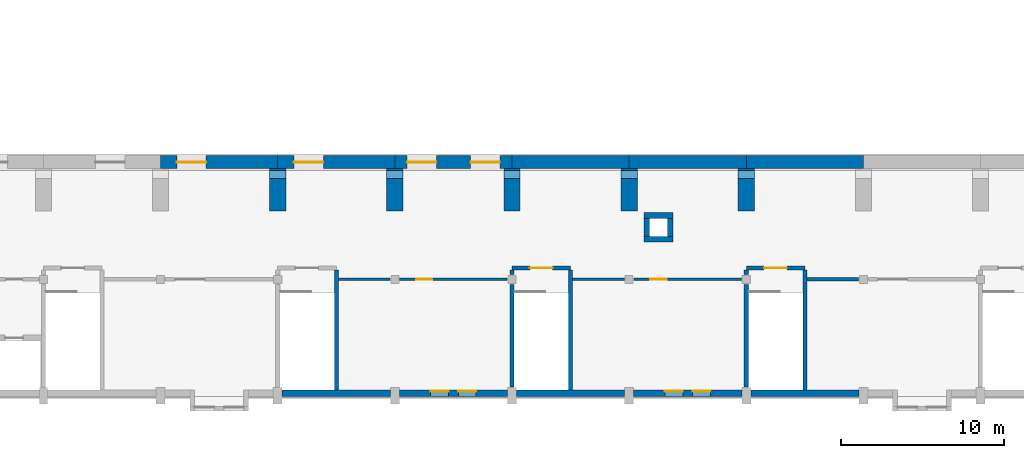
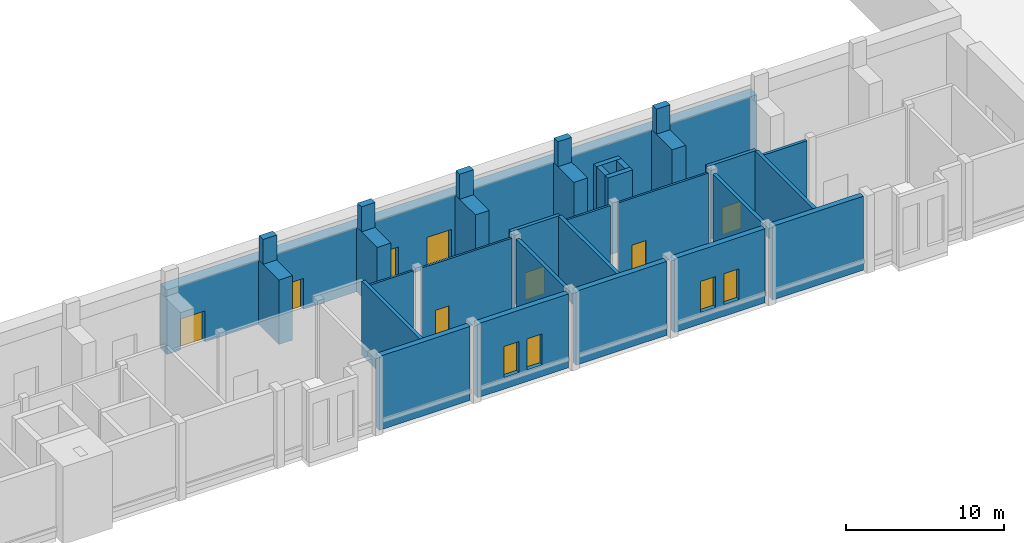
# One storey, part 30 of 44: 39 walls, 8 doors, 4 windows, 12 openings.
"""IFC4 building model written with IfcOpenShell, lengths in metres."""

from ifc_helpers import new_model, si_unit, direction, frame, frame_2d, origin, place, context, subcontext, project, spatial, rectangle, extrude, material, layer, layer_set, type_object, element, fill, save


model = new_model("IFC4")

# Units and contexts
model_context = context("Model", 3, precision=1e-05, world=origin(), true_north=direction((0.0, 1.0)))
body_context = subcontext(model_context, "Body", "Model", "MODEL_VIEW")
ifc_project = project(units=[si_unit("LENGTHUNIT", "METRE"), si_unit("AREAUNIT", "SQUARE_METRE"), si_unit("VOLUMEUNIT", "CUBIC_METRE"), si_unit("PLANEANGLEUNIT", "RADIAN"), si_unit("MASSUNIT", "GRAM", prefix="KILO")], contexts=[model_context])

# Site, building, storey
site_placement = place(None, origin())
site = spatial("IfcSite", under=ifc_project, at=site_placement, CompositionType="ELEMENT")
building_placement = place(site_placement, origin())
building = spatial("IfcBuilding", under=site, at=building_placement, Name="Vermilion Court Aquatics Centre", CompositionType="ELEMENT")
storey_placement = place(building_placement, frame((0.0, 0.0, 6.0)))
storey = spatial("IfcBuildingStorey", under=building, at=storey_placement, Name="L01", CompositionType="ELEMENT", Elevation=6.0)

# Walls
ifc_material_1 = material(Name="Concrete 5000 psi", Category="concrete")
ifc_layer_1 = layer(ifc_material_1, 1.0)
ifc_layer_set_1 = layer_set([ifc_layer_1], Name="Roof buttress pier")
wall_type_1 = type_object("IfcWallType", Name="Roof buttress pier", PredefinedType="SOLIDWALL", material=ifc_layer_set_1)
for number, where, z_axis, x_axis, name in (
    (1, (93.60009765625, 11.39990234375, 0.0), (0.0, 0.0, 1.0), (0.0, 1.0, 0.0), "Buttress pier BPS12"),
    (2, (100.800048828125, 11.39990234375, 0.0), (0.0, 0.0, 1.0), (0.0, 1.0, 0.0), "Buttress pier BPS13"),
    (3, (108.0, 11.39990234375, 0.0), (0.0, 0.0, 1.0), (0.0, 1.0, 0.0), "Buttress pier BPS14"),
    (4, (115.199951171875, 11.39990234375, 0.0), (0.0, 0.0, 1.0), (0.0, 1.0, 0.0), "Buttress pier BPS15"),
    (5, (122.39990234375, 11.39990234375, 0.0), (0.0, 0.0, 1.0), (0.0, 1.0, 0.0), "Buttress pier BPS16"),
):
    element("IfcWall", number, at=place(storey_placement, frame(where, z_axis=z_axis, x_axis=x_axis)), inside=storey, type_object=wall_type_1, Name=name, PredefinedType="SOLIDWALL", context=body_context, shape_type="SweptSolid", body=[
        extrude(rectangle(XDim=2.60009765625, YDim=1.0, at=frame_2d((1.300048828125, 0.0))), origin(), (0.0, 0.0, 1.0), 5.0),
    ])
ifc_material_2 = material(Name="Brick masonry", Category="masonry")
ifc_layer_2 = layer(ifc_material_2, 0.39990234375)
ifc_layer_set_2 = layer_set([ifc_layer_2], Name="South brick facade wall 400")
wall_type_2 = type_object("IfcWallType", Name="South brick facade wall 400", PredefinedType="SOLIDWALL", material=ifc_layer_set_2)
wall_1_placement = place(storey_placement, frame((93.875, 0.199951171875, 0.0), z_axis=(0.0, 0.0, 1.0), x_axis=(1.0, 0.0, 0.0)))
element("IfcWall", 6, at=wall_1_placement, inside=storey, type_object=wall_type_2, Name="Brick facade wall", PredefinedType="SOLIDWALL", context=body_context, shape_type="SweptSolid", body=[
    extrude(rectangle(XDim=6.64990234375, YDim=0.39990234375, at=frame_2d((3.324951171875, 0.0))), origin(), (0.0, 0.0, 1.0), 5.72509765625),
])

# Wall, openings, windows
wall_2_placement = place(storey_placement, frame((101.074951171875, 0.199951171875, 0.0), z_axis=(0.0, 0.0, 1.0), x_axis=(1.0, 0.0, 0.0)))
wall_2 = element("IfcWall", 7, at=wall_2_placement, inside=storey, type_object=wall_type_2, Name="Brick facade wall", PredefinedType="SOLIDWALL", context=body_context, shape_type="SweptSolid", body=[
    extrude(rectangle(XDim=6.650146484375, YDim=0.39990234375, at=frame_2d((3.3251953125, 0.0))), origin(), (0.0, 0.0, 1.0), 5.72509765625),
])
opening_1_placement = place(wall_2_placement, frame((1.925048828125, 0.0, 0.89990234375)))
opening_1 = element("IfcOpeningElement", 8, at=opening_1_placement, cuts=wall_2, Name="Opening SWN4", PredefinedType="OPENING", context=body_context, shape_type="SweptSolid", body=[
    extrude(rectangle(XDim=1.10009765625, YDim=2.39990234375, at=frame_2d((0.550048828125, 1.199951171875))), frame((0.0, 0.2099609375, 0.0), z_axis=(0.0, -1.0, 0.0), x_axis=(1.0, 0.0, 0.0)), (0.0, 0.0, 1.0), 0.419921875),
])
opening_2_placement = place(wall_2_placement, frame((3.625, 0.0, 0.89990234375)))
opening_2 = element("IfcOpeningElement", 9, at=opening_2_placement, cuts=wall_2, Name="Opening SWN4", PredefinedType="OPENING", context=body_context, shape_type="SweptSolid", body=[
    extrude(rectangle(XDim=1.10009765625, YDim=2.39990234375, at=frame_2d((0.550048828125, 1.199951171875))), frame((0.0, 0.2099609375, 0.0), z_axis=(0.0, -1.0, 0.0), x_axis=(1.0, 0.0, 0.0)), (0.0, 0.0, 1.0), 0.419921875),
])
ifc_material_3 = material(Name="Aluminium 6063-T5", Category="aluminium")
window_type = type_object("IfcWindowType", Name="South window 1100x2400 obscured glass", PartitioningType="DOUBLE_PANEL_VERTICAL", PredefinedType="WINDOW", material=ifc_material_3)
window_1_placement = place(opening_1_placement, origin())
window_1 = element("IfcWindow", 10, at=window_1_placement, inside=storey, type_object=window_type, Name="Facade window", OverallHeight=2.39990234375, OverallWidth=1.10009765625, PartitioningType="DOUBLE_PANEL_VERTICAL", PredefinedType="WINDOW", context=body_context, shape_type="SweptSolid", body=[
    extrude(rectangle(XDim=1.10009765625, YDim=2.39990234375, at=frame_2d((0.550048828125, 1.199951171875))), frame((0.0, 0.159912109375, 0.0), z_axis=(0.0, -1.0, 0.0), x_axis=(1.0, 0.0, 0.0)), (0.0, 0.0, 1.0), 0.06005859375),
])
fill(opening_1, window_1)
window_2_placement = place(opening_2_placement, origin())
window_2 = element("IfcWindow", 11, at=window_2_placement, inside=storey, type_object=window_type, Name="Facade window", OverallHeight=2.39990234375, OverallWidth=1.10009765625, PartitioningType="DOUBLE_PANEL_VERTICAL", PredefinedType="WINDOW", context=body_context, shape_type="SweptSolid", body=[
    extrude(rectangle(XDim=1.10009765625, YDim=2.39990234375, at=frame_2d((0.550048828125, 1.199951171875))), frame((0.0, 0.159912109375, 0.0), z_axis=(0.0, -1.0, 0.0), x_axis=(1.0, 0.0, 0.0)), (0.0, 0.0, 1.0), 0.06005859375),
])
fill(opening_2, window_2)

# Wall
wall_3_placement = place(storey_placement, frame((108.27490234375, 0.199951171875, 0.0), z_axis=(0.0, 0.0, 1.0), x_axis=(1.0, 0.0, 0.0)))
element("IfcWall", 12, at=wall_3_placement, inside=storey, type_object=wall_type_2, Name="Brick facade wall", PredefinedType="SOLIDWALL", context=body_context, shape_type="SweptSolid", body=[
    extrude(rectangle(XDim=6.650146484375, YDim=0.39990234375, at=frame_2d((3.3251953125, 0.0))), origin(), (0.0, 0.0, 1.0), 5.72509765625),
])

# Wall, openings, windows
wall_4_placement = place(storey_placement, frame((115.47509765625, 0.199951171875, 0.0), z_axis=(0.0, 0.0, 1.0), x_axis=(1.0, 0.0, 0.0)))
wall_4 = element("IfcWall", 13, at=wall_4_placement, inside=storey, type_object=wall_type_2, Name="Brick facade wall", PredefinedType="SOLIDWALL", context=body_context, shape_type="SweptSolid", body=[
    extrude(rectangle(XDim=6.64990234375, YDim=0.39990234375, at=frame_2d((3.324951171875, 0.0))), origin(), (0.0, 0.0, 1.0), 5.72509765625),
])
opening_3_placement = place(wall_4_placement, frame((1.925048828125, 0.0, 0.89990234375)))
opening_3 = element("IfcOpeningElement", 14, at=opening_3_placement, cuts=wall_4, Name="Opening SWN4", PredefinedType="OPENING", context=body_context, shape_type="SweptSolid", body=[
    extrude(rectangle(XDim=1.10009765625, YDim=2.39990234375, at=frame_2d((0.550048828125, 1.199951171875))), frame((0.0, 0.2099609375, 0.0), z_axis=(0.0, -1.0, 0.0), x_axis=(1.0, 0.0, 0.0)), (0.0, 0.0, 1.0), 0.419921875),
])
opening_4_placement = place(wall_4_placement, frame((3.625, 0.0, 0.89990234375)))
opening_4 = element("IfcOpeningElement", 15, at=opening_4_placement, cuts=wall_4, Name="Opening SWN4", PredefinedType="OPENING", context=body_context, shape_type="SweptSolid", body=[
    extrude(rectangle(XDim=1.10009765625, YDim=2.39990234375, at=frame_2d((0.550048828125, 1.199951171875))), frame((0.0, 0.2099609375, 0.0), z_axis=(0.0, -1.0, 0.0), x_axis=(1.0, 0.0, 0.0)), (0.0, 0.0, 1.0), 0.419921875),
])
window_3_placement = place(opening_3_placement, origin())
window_3 = element("IfcWindow", 16, at=window_3_placement, inside=storey, type_object=window_type, Name="Facade window", OverallHeight=2.39990234375, OverallWidth=1.10009765625, PartitioningType="DOUBLE_PANEL_VERTICAL", PredefinedType="WINDOW", context=body_context, shape_type="SweptSolid", body=[
    extrude(rectangle(XDim=1.10009765625, YDim=2.39990234375, at=frame_2d((0.550048828125, 1.199951171875))), frame((0.0, 0.159912109375, 0.0), z_axis=(0.0, -1.0, 0.0), x_axis=(1.0, 0.0, 0.0)), (0.0, 0.0, 1.0), 0.06005859375),
])
fill(opening_3, window_3)
window_4_placement = place(opening_4_placement, origin())
window_4 = element("IfcWindow", 17, at=window_4_placement, inside=storey, type_object=window_type, Name="Facade window", OverallHeight=2.39990234375, OverallWidth=1.10009765625, PartitioningType="DOUBLE_PANEL_VERTICAL", PredefinedType="WINDOW", context=body_context, shape_type="SweptSolid", body=[
    extrude(rectangle(XDim=1.10009765625, YDim=2.39990234375, at=frame_2d((0.550048828125, 1.199951171875))), frame((0.0, 0.159912109375, 0.0), z_axis=(0.0, -1.0, 0.0), x_axis=(1.0, 0.0, 0.0)), (0.0, 0.0, 1.0), 0.06005859375),
])
fill(opening_4, window_4)

# Walls
wall_5_placement = place(storey_placement, frame((122.675048828125, 0.199951171875, 0.0), z_axis=(0.0, 0.0, 1.0), x_axis=(1.0, 0.0, 0.0)))
element("IfcWall", 18, at=wall_5_placement, inside=storey, type_object=wall_type_2, Name="Brick facade wall", PredefinedType="SOLIDWALL", context=body_context, shape_type="SweptSolid", body=[
    extrude(rectangle(XDim=6.64990234375, YDim=0.39990234375, at=frame_2d((3.324951171875, 0.0))), origin(), (0.0, 0.0, 1.0), 5.72509765625),
])
ifc_material_4 = material(Name="Concrete masonry ASTM C90 Type I", Category="masonry")
ifc_layer_3 = layer(ifc_material_4, 0.199951171875)
ifc_layer_set_3 = layer_set([ifc_layer_3], Name="South partition wall 200")
wall_type_3 = type_object("IfcWallType", Name="South partition wall 200", PredefinedType="PARTITIONING", material=ifc_layer_set_3)
wall_6_placement = place(storey_placement, frame((126.125, 7.199951171875, 0.0), z_axis=(0.0, 0.0, 1.0), x_axis=(1.0, 0.0, 0.0)))
element("IfcWall", 19, at=wall_6_placement, inside=storey, type_object=wall_type_3, Name="Partition wall", PredefinedType="PARTITIONING", context=body_context, shape_type="SweptSolid", body=[
    extrude(rectangle(XDim=3.175048828125, YDim=0.199951171875, at=frame_2d((1.58740234375, 0.0))), origin(), (0.0, 0.0, 1.0), 5.72509765625),
])
ifc_material_5 = material(Name="Concrete 5000 psi", Category="concrete")
ifc_layer_4 = layer(ifc_material_5, 0.5)
ifc_layer_set_4 = layer_set([ifc_layer_4], Name="South roof valley post 500")
wall_type_4 = type_object("IfcWallType", Name="South roof valley post 500", PredefinedType="SOLIDWALL", material=ifc_layer_set_4)
for number, where, z_axis, x_axis, name in (
    (20, (93.10009765625, 13.64990234375, 5.0), (0.0, 0.0, 1.0), (1.0, 0.0, 0.0), "South roof valley post"),
    (21, (100.300048828125, 13.64990234375, 5.0), (0.0, 0.0, 1.0), (1.0, 0.0, 0.0), "South roof valley post"),
    (22, (107.5, 13.64990234375, 5.0), (0.0, 0.0, 1.0), (1.0, 0.0, 0.0), "South roof valley post"),
    (23, (114.699951171875, 13.64990234375, 5.0), (0.0, 0.0, 1.0), (1.0, 0.0, 0.0), "South roof valley post"),
    (24, (121.89990234375, 13.64990234375, 5.0), (0.0, 0.0, 1.0), (1.0, 0.0, 0.0), "South roof valley post"),
):
    element("IfcWall", number, at=place(storey_placement, frame(where, z_axis=z_axis, x_axis=x_axis)), inside=storey, type_object=wall_type_4, Name=name, PredefinedType="SOLIDWALL", context=body_context, shape_type="SweptSolid", body=[
        extrude(rectangle(XDim=1.0, YDim=0.5, at=frame_2d((0.5, 0.0))), origin(), (0.0, 0.0, 1.0), 1.932373046875),
    ])
ifc_material_6 = material(Name="Concrete 5000 psi", Category="concrete")
ifc_layer_5 = layer(ifc_material_6, 0.25)
ifc_layer_set_5 = layer_set([ifc_layer_5], Name="South upper stair wall 250")
wall_type_5 = type_object("IfcWallType", Name="South upper stair wall 250", PredefinedType="SOLIDWALL", material=ifc_layer_set_5)
wall_7_placement = place(storey_placement, frame((97.199951171875, 0.39990234375, 0.0), z_axis=(0.0, 0.0, 1.0), x_axis=(0.0, 1.0, 0.0)))
element("IfcWall", 25, at=wall_7_placement, inside=storey, type_object=wall_type_5, Name="Stair enclosure wall", PredefinedType="SOLIDWALL", context=body_context, shape_type="SweptSolid", body=[
    extrude(rectangle(XDim=7.375, YDim=0.25, at=frame_2d((3.6875, 0.0))), origin(), (0.0, 0.0, 1.0), 5.72509765625),
])
wall_8_placement = place(storey_placement, frame((108.0, 0.60009765625, 0.0), z_axis=(0.0, 0.0, 1.0), x_axis=(0.0, 1.0, 0.0)))
element("IfcWall", 26, at=wall_8_placement, inside=storey, type_object=wall_type_5, Name="Stair enclosure wall", PredefinedType="SOLIDWALL", context=body_context, shape_type="SweptSolid", body=[
    extrude(rectangle(XDim=6.2998046875, YDim=0.25, at=frame_2d((3.14990234375, 0.0))), origin(), (0.0, 0.0, 1.0), 5.72509765625),
])
wall_9_placement = place(storey_placement, frame((108.0, 7.5, 0.0), z_axis=(0.0, 0.0, 1.0), x_axis=(0.0, 1.0, 0.0)))
element("IfcWall", 27, at=wall_9_placement, inside=storey, type_object=wall_type_5, Name="Stair enclosure wall", PredefinedType="SOLIDWALL", context=body_context, shape_type="SweptSolid", body=[
    extrude(rectangle(XDim=0.27490234375, YDim=0.25, at=frame_2d((0.137451171875, 0.0))), origin(), (0.0, 0.0, 1.0), 5.72509765625),
])
wall_10_placement = place(storey_placement, frame((111.60009765625, 0.39990234375, 0.0), z_axis=(0.0, 0.0, 1.0), x_axis=(0.0, 1.0, 0.0)))
element("IfcWall", 28, at=wall_10_placement, inside=storey, type_object=wall_type_5, Name="Stair enclosure wall", PredefinedType="SOLIDWALL", context=body_context, shape_type="SweptSolid", body=[
    extrude(rectangle(XDim=7.375, YDim=0.25, at=frame_2d((3.6875, 0.0))), origin(), (0.0, 0.0, 1.0), 5.72509765625),
])
wall_11_placement = place(storey_placement, frame((122.39990234375, 0.60009765625, 0.0), z_axis=(0.0, 0.0, 1.0), x_axis=(0.0, 1.0, 0.0)))
element("IfcWall", 29, at=wall_11_placement, inside=storey, type_object=wall_type_5, Name="Stair enclosure wall", PredefinedType="SOLIDWALL", context=body_context, shape_type="SweptSolid", body=[
    extrude(rectangle(XDim=6.2998046875, YDim=0.25, at=frame_2d((3.14990234375, 0.0))), origin(), (0.0, 0.0, 1.0), 5.72509765625),
])
wall_12_placement = place(storey_placement, frame((122.39990234375, 7.5, 0.0), z_axis=(0.0, 0.0, 1.0), x_axis=(0.0, 1.0, 0.0)))
element("IfcWall", 30, at=wall_12_placement, inside=storey, type_object=wall_type_5, Name="Stair enclosure wall", PredefinedType="SOLIDWALL", context=body_context, shape_type="SweptSolid", body=[
    extrude(rectangle(XDim=0.27490234375, YDim=0.25, at=frame_2d((0.137451171875, 0.0))), origin(), (0.0, 0.0, 1.0), 5.72509765625),
])
wall_13_placement = place(storey_placement, frame((126.0, 0.39990234375, 0.0), z_axis=(0.0, 0.0, 1.0), x_axis=(0.0, 1.0, 0.0)))
element("IfcWall", 31, at=wall_13_placement, inside=storey, type_object=wall_type_5, Name="Stair enclosure wall", PredefinedType="SOLIDWALL", context=body_context, shape_type="SweptSolid", body=[
    extrude(rectangle(XDim=7.375, YDim=0.25, at=frame_2d((3.6875, 0.0))), origin(), (0.0, 0.0, 1.0), 5.72509765625),
])

# Wall, opening, door
wall_14_placement = place(storey_placement, frame((108.0, 7.89990234375, 0.0), z_axis=(0.0, 0.0, 1.0), x_axis=(1.0, 0.0, 0.0)))
wall_14 = element("IfcWall", 32, at=wall_14_placement, inside=storey, type_object=wall_type_5, Name="Stair enclosure wall", PredefinedType="SOLIDWALL", context=body_context, shape_type="SweptSolid", body=[
    extrude(rectangle(XDim=3.60009765625, YDim=0.25, at=frame_2d((1.800048828125, 0.0))), origin(), (0.0, 0.0, 1.0), 5.72509765625),
])
opening_5_placement = place(wall_14_placement, frame((1.10009765625, 0.0, 0.0)))
opening_5 = element("IfcOpeningElement", 33, at=opening_5_placement, cuts=wall_14, Name="Opening S01-006", PredefinedType="OPENING", context=body_context, shape_type="SweptSolid", body=[
    extrude(rectangle(XDim=1.39990234375, YDim=2.10009765625, at=frame_2d((0.699951171875, 1.050048828125))), frame((0.0, 0.135009765625, 0.0), z_axis=(0.0, -1.0, 0.0), x_axis=(1.0, 0.0, 0.0)), (0.0, 0.0, 1.0), 0.27001953125),
])
ifc_material_7 = material(Name="Hollow metal", Category="metal")
door_type_1 = type_object("IfcDoorType", Name="South stair door 1400", OperationType="DOUBLE_DOOR_SINGLE_SWING", PredefinedType="DOOR", material=ifc_material_7)
door_1_placement = place(opening_5_placement, frame((1.39990234375, 0.0, 0.0), z_axis=(0.0, 0.0, 1.0), x_axis=(-1.0, 0.0, 0.0)))
door_1 = element("IfcDoor", 34, at=door_1_placement, inside=storey, type_object=door_type_1, Name="Exit stair S6 door", OperationType="DOUBLE_DOOR_SINGLE_SWING", OverallHeight=2.10009765625, OverallWidth=1.39990234375, PredefinedType="DOOR", context=body_context, shape_type="SweptSolid", body=[
    extrude(rectangle(XDim=1.39990234375, YDim=2.10009765625, at=frame_2d((0.699951171875, 1.050048828125))), frame((0.0, 0.025146484375, 0.0), z_axis=(0.0, -1.0, 0.0), x_axis=(1.0, 0.0, 0.0)), (0.0, 0.0, 1.0), 0.050048828125),
])
fill(opening_5, door_1)

wall_15_placement = place(storey_placement, frame((122.39990234375, 7.89990234375, 0.0), z_axis=(0.0, 0.0, 1.0), x_axis=(1.0, 0.0, 0.0)))
wall_15 = element("IfcWall", 35, at=wall_15_placement, inside=storey, type_object=wall_type_5, Name="Stair enclosure wall", PredefinedType="SOLIDWALL", context=body_context, shape_type="SweptSolid", body=[
    extrude(rectangle(XDim=3.60009765625, YDim=0.25, at=frame_2d((1.800048828125, 0.0))), origin(), (0.0, 0.0, 1.0), 5.72509765625),
])
opening_6_placement = place(wall_15_placement, frame((1.10009765625, 0.0, 0.0)))
opening_6 = element("IfcOpeningElement", 36, at=opening_6_placement, cuts=wall_15, Name="Opening S01-007", PredefinedType="OPENING", context=body_context, shape_type="SweptSolid", body=[
    extrude(rectangle(XDim=1.39990234375, YDim=2.10009765625, at=frame_2d((0.699951171875, 1.050048828125))), frame((0.0, 0.135009765625, 0.0), z_axis=(0.0, -1.0, 0.0), x_axis=(1.0, 0.0, 0.0)), (0.0, 0.0, 1.0), 0.27001953125),
])
door_2_placement = place(opening_6_placement, frame((1.39990234375, 0.0, 0.0), z_axis=(0.0, 0.0, 1.0), x_axis=(-1.0, 0.0, 0.0)))
door_2 = element("IfcDoor", 37, at=door_2_placement, inside=storey, type_object=door_type_1, Name="Exit stair S7 door", OperationType="DOUBLE_DOOR_SINGLE_SWING", OverallHeight=2.10009765625, OverallWidth=1.39990234375, PredefinedType="DOOR", context=body_context, shape_type="SweptSolid", body=[
    extrude(rectangle(XDim=1.39990234375, YDim=2.10009765625, at=frame_2d((0.699951171875, 1.050048828125))), frame((0.0, 0.025146484375, 0.0), z_axis=(0.0, -1.0, 0.0), x_axis=(1.0, 0.0, 0.0)), (0.0, 0.0, 1.0), 0.050048828125),
])
fill(opening_6, door_2)

# Walls
ifc_material_8 = material(Name="Brick masonry", Category="masonry")
ifc_layer_6 = layer(ifc_material_8, 0.35009765625)
ifc_layer_set_6 = layer_set([ifc_layer_6], Name="South vent stack wall 350")
wall_type_6 = type_object("IfcWallType", Name="South vent stack wall 350", PredefinedType="SOLIDWALL", material=ifc_layer_set_6)
for number, where, z_axis, x_axis, name in (
    (38, (116.10009765625, 11.125, 0.0), (0.0, 0.0, 1.0), (1.0, 0.0, 0.0), "Stack shaft wall"),
    (39, (116.10009765625, 9.675048828125, 0.0), (0.0, 0.0, 1.0), (1.0, 0.0, 0.0), "Stack shaft wall"),
):
    element("IfcWall", number, at=place(storey_placement, frame(where, z_axis=z_axis, x_axis=x_axis)), inside=storey, type_object=wall_type_6, Name=name, PredefinedType="SOLIDWALL", context=body_context, shape_type="SweptSolid", body=[
        extrude(rectangle(XDim=1.7998046875, YDim=0.35009765625, at=frame_2d((0.89990234375, 0.0))), origin(), (0.0, 0.0, 1.0), 6.0),
    ])
for number, where, z_axis, x_axis, name in (
    (40, (117.72509765625, 9.85009765625, 0.0), (0.0, 0.0, 1.0), (0.0, 1.0, 0.0), "Stack shaft wall"),
    (41, (116.27490234375, 9.85009765625, 0.0), (0.0, 0.0, 1.0), (0.0, 1.0, 0.0), "Stack shaft wall"),
):
    element("IfcWall", number, at=place(storey_placement, frame(where, z_axis=z_axis, x_axis=x_axis)), inside=storey, type_object=wall_type_6, Name=name, PredefinedType="SOLIDWALL", context=body_context, shape_type="SweptSolid", body=[
        extrude(rectangle(XDim=1.099853515625, YDim=0.35009765625, at=frame_2d((0.5498046875, 0.0))), origin(), (0.0, 0.0, 1.0), 6.0),
    ])
ifc_material_9 = material(Name="Concrete masonry ASTM C90 Type I", Category="masonry")
ifc_layer_7 = layer(ifc_material_9, 0.14990234375)
ifc_layer_set_7 = layer_set([ifc_layer_7], Name="South wet room partition 150")
wall_type_7 = type_object("IfcWallType", Name="South wet room partition 150", PredefinedType="PARTITIONING", material=ifc_layer_set_7)
wall_16_placement = place(storey_placement, frame((97.324951171875, 7.199951171875, 0.0), z_axis=(0.0, 0.0, 1.0), x_axis=(1.0, 0.0, 0.0)))
element("IfcWall", 42, at=wall_16_placement, inside=storey, type_object=wall_type_7, Name="Wall", PredefinedType="PARTITIONING", context=body_context, shape_type="SweptSolid", body=[
    extrude(rectangle(XDim=3.175048828125, YDim=0.14990234375, at=frame_2d((1.58740234375, 0.0))), origin(), (0.0, 0.0, 1.0), 5.72509765625),
])

# Wall, opening, door
wall_17_placement = place(storey_placement, frame((101.10009765625, 7.199951171875, 0.0), z_axis=(0.0, 0.0, 1.0), x_axis=(1.0, 0.0, 0.0)))
wall_17 = element("IfcWall", 43, at=wall_17_placement, inside=storey, type_object=wall_type_7, Name="Wall", PredefinedType="PARTITIONING", context=body_context, shape_type="SweptSolid", body=[
    extrude(rectangle(XDim=6.599853515625, YDim=0.14990234375, at=frame_2d((3.2998046875, 0.0))), origin(), (0.0, 0.0, 1.0), 5.72509765625),
])
opening_7_placement = place(wall_17_placement, frame((1.0, 0.0, 0.0)))
opening_7 = element("IfcOpeningElement", 44, at=opening_7_placement, cuts=wall_17, Name="Opening S01-014", PredefinedType="OPENING", context=body_context, shape_type="SweptSolid", body=[
    extrude(rectangle(XDim=1.0, YDim=2.10009765625, at=frame_2d((0.5, 1.050048828125))), frame((0.0, 0.0849609375, 0.0), z_axis=(0.0, -1.0, 0.0), x_axis=(1.0, 0.0, 0.0)), (0.0, 0.0, 1.0), 0.169921875),
])
ifc_material_10 = material(Name="Timber door leaf", Category="wood")
door_type_2 = type_object("IfcDoorType", Name="South range single door 1000", OperationType="NOTDEFINED", PredefinedType="DOOR", material=ifc_material_10)
door_3_placement = place(opening_7_placement, frame((1.0, 0.0, 0.0), z_axis=(0.0, 0.0, 1.0), x_axis=(-1.0, 0.0, 0.0)))
door_3 = element("IfcDoor", 45, at=door_3_placement, inside=storey, type_object=door_type_2, Name="Public WC - Women East door", OperationType="SINGLE_SWING_LEFT", OverallHeight=2.10009765625, OverallWidth=1.0, PredefinedType="DOOR", context=body_context, shape_type="SweptSolid", body=[
    extrude(rectangle(XDim=1.0, YDim=2.10009765625, at=frame_2d((0.5, 1.050048828125))), frame((0.0, 0.025146484375, 0.0), z_axis=(0.0, -1.0, 0.0), x_axis=(1.0, 0.0, 0.0)), (0.0, 0.0, 1.0), 0.050048828125),
])
fill(opening_7, door_3)

# Wall
wall_18_placement = place(storey_placement, frame((111.72509765625, 7.199951171875, 0.0), z_axis=(0.0, 0.0, 1.0), x_axis=(1.0, 0.0, 0.0)))
element("IfcWall", 46, at=wall_18_placement, inside=storey, type_object=wall_type_7, Name="Wall", PredefinedType="PARTITIONING", context=body_context, shape_type="SweptSolid", body=[
    extrude(rectangle(XDim=3.1748046875, YDim=0.14990234375, at=frame_2d((1.58740234375, 0.0))), origin(), (0.0, 0.0, 1.0), 5.72509765625),
])

# Wall, opening, door
wall_19_placement = place(storey_placement, frame((115.5, 7.199951171875, 0.0), z_axis=(0.0, 0.0, 1.0), x_axis=(1.0, 0.0, 0.0)))
wall_19 = element("IfcWall", 47, at=wall_19_placement, inside=storey, type_object=wall_type_7, Name="Wall", PredefinedType="PARTITIONING", context=body_context, shape_type="SweptSolid", body=[
    extrude(rectangle(XDim=6.60009765625, YDim=0.14990234375, at=frame_2d((3.300048828125, 0.0))), origin(), (0.0, 0.0, 1.0), 5.72509765625),
])
opening_8_placement = place(wall_19_placement, frame((1.0, 0.0, 0.0)))
opening_8 = element("IfcOpeningElement", 48, at=opening_8_placement, cuts=wall_19, Name="Opening S01-015", PredefinedType="OPENING", context=body_context, shape_type="SweptSolid", body=[
    extrude(rectangle(XDim=1.0, YDim=2.10009765625, at=frame_2d((0.5, 1.050048828125))), frame((0.0, 0.0849609375, 0.0), z_axis=(0.0, -1.0, 0.0), x_axis=(1.0, 0.0, 0.0)), (0.0, 0.0, 1.0), 0.169921875),
])
door_4_placement = place(opening_8_placement, frame((1.0, 0.0, 0.0), z_axis=(0.0, 0.0, 1.0), x_axis=(-1.0, 0.0, 0.0)))
door_4 = element("IfcDoor", 49, at=door_4_placement, inside=storey, type_object=door_type_2, Name="Public WC - Men East door", OperationType="SINGLE_SWING_LEFT", OverallHeight=2.10009765625, OverallWidth=1.0, PredefinedType="DOOR", context=body_context, shape_type="SweptSolid", body=[
    extrude(rectangle(XDim=1.0, YDim=2.10009765625, at=frame_2d((0.5, 1.050048828125))), frame((0.0, 0.025146484375, 0.0), z_axis=(0.0, -1.0, 0.0), x_axis=(1.0, 0.0, 0.0)), (0.0, 0.0, 1.0), 0.050048828125),
])
fill(opening_8, door_4)

ifc_material_11 = material(Name="Concrete 5000 psi", Category="concrete")
ifc_layer_8 = layer(ifc_material_11, 0.800048828125)
ifc_layer_set_8 = layer_set([ifc_layer_8], Name="Tribune back wall 800")
wall_type_8 = type_object("IfcWallType", Name="Tribune back wall 800", PredefinedType="SOLIDWALL", material=ifc_layer_set_8)
wall_20_placement = place(storey_placement, frame((86.39990234375, 14.39990234375, 0.0), z_axis=(0.0, 0.0, 1.0), x_axis=(1.0, 0.0, 0.0)))
wall_20 = element("IfcWall", 50, at=wall_20_placement, inside=storey, type_object=wall_type_8, Name="South hall wall", PredefinedType="SOLIDWALL", context=body_context, shape_type="SweptSolid", body=[
    extrude(rectangle(XDim=7.2001953125, YDim=0.800048828125, at=frame_2d((3.60009765625, 0.0))), origin(), (0.0, 0.0, 1.0), 5.0),
])
opening_9_placement = place(wall_20_placement, frame((1.0, 0.0, 0.0)))
opening_9 = element("IfcOpeningElement", 51, at=opening_9_placement, cuts=wall_20, Name="Opening T01-009", PredefinedType="OPENING", context=body_context, shape_type="SweptSolid", body=[
    extrude(rectangle(XDim=1.800048828125, YDim=2.39990234375, at=frame_2d((0.89990234375, 1.199951171875))), frame((0.0, 0.409912109375, 0.0), z_axis=(0.0, -1.0, 0.0), x_axis=(1.0, 0.0, 0.0)), (0.0, 0.0, 1.0), 0.820068359375),
])
ifc_material_12 = material(Name="Hollow metal", Category="metal")
door_type_3 = type_object("IfcDoorType", Name="Tribune vomitory door 1800x2400", OperationType="DOUBLE_DOOR_SINGLE_SWING", PredefinedType="DOOR", material=ifc_material_12)
door_5_placement = place(opening_9_placement, origin())
door_5 = element("IfcDoor", 52, at=door_5_placement, inside=storey, type_object=door_type_3, Name="Vomitory door", OperationType="DOUBLE_DOOR_SINGLE_SWING", OverallHeight=2.39990234375, OverallWidth=1.800048828125, PredefinedType="DOOR", context=body_context, shape_type="SweptSolid", body=[
    extrude(rectangle(XDim=1.800048828125, YDim=2.39990234375, at=frame_2d((0.89990234375, 1.199951171875))), frame((0.0, 0.02490234375, 0.0), z_axis=(0.0, -1.0, 0.0), x_axis=(1.0, 0.0, 0.0)), (0.0, 0.0, 1.0), 0.050048828125),
])
fill(opening_9, door_5)

wall_21_placement = place(storey_placement, frame((93.60009765625, 14.39990234375, 0.0), z_axis=(0.0, 0.0, 1.0), x_axis=(1.0, 0.0, 0.0)))
wall_21 = element("IfcWall", 53, at=wall_21_placement, inside=storey, type_object=wall_type_8, Name="South hall wall", PredefinedType="SOLIDWALL", context=body_context, shape_type="SweptSolid", body=[
    extrude(rectangle(XDim=7.199951171875, YDim=0.800048828125, at=frame_2d((3.60009765625, 0.0))), origin(), (0.0, 0.0, 1.0), 5.0),
])
opening_10_placement = place(wall_21_placement, frame((1.0, 0.0, 0.0)))
opening_10 = element("IfcOpeningElement", 54, at=opening_10_placement, cuts=wall_21, Name="Opening T01-010", PredefinedType="OPENING", context=body_context, shape_type="SweptSolid", body=[
    extrude(rectangle(XDim=1.800048828125, YDim=2.39990234375, at=frame_2d((0.89990234375, 1.199951171875))), frame((0.0, 0.409912109375, 0.0), z_axis=(0.0, -1.0, 0.0), x_axis=(1.0, 0.0, 0.0)), (0.0, 0.0, 1.0), 0.820068359375),
])
door_6_placement = place(opening_10_placement, origin())
door_6 = element("IfcDoor", 55, at=door_6_placement, inside=storey, type_object=door_type_3, Name="Vomitory door", OperationType="DOUBLE_DOOR_SINGLE_SWING", OverallHeight=2.39990234375, OverallWidth=1.800048828125, PredefinedType="DOOR", context=body_context, shape_type="SweptSolid", body=[
    extrude(rectangle(XDim=1.800048828125, YDim=2.39990234375, at=frame_2d((0.89990234375, 1.199951171875))), frame((0.0, 0.02490234375, 0.0), z_axis=(0.0, -1.0, 0.0), x_axis=(1.0, 0.0, 0.0)), (0.0, 0.0, 1.0), 0.050048828125),
])
fill(opening_10, door_6)

# Wall, openings, doors
wall_22_placement = place(storey_placement, frame((100.800048828125, 14.39990234375, 0.0), z_axis=(0.0, 0.0, 1.0), x_axis=(1.0, 0.0, 0.0)))
wall_22 = element("IfcWall", 56, at=wall_22_placement, inside=storey, type_object=wall_type_8, Name="South hall wall", PredefinedType="SOLIDWALL", context=body_context, shape_type="SweptSolid", body=[
    extrude(rectangle(XDim=7.199951171875, YDim=0.800048828125, at=frame_2d((3.60009765625, 0.0))), origin(), (0.0, 0.0, 1.0), 5.0),
])
opening_11_placement = place(wall_22_placement, frame((0.75, 0.0, 0.0)))
opening_11 = element("IfcOpeningElement", 57, at=opening_11_placement, cuts=wall_22, Name="Opening T01-011", PredefinedType="OPENING", context=body_context, shape_type="SweptSolid", body=[
    extrude(rectangle(XDim=1.800048828125, YDim=2.39990234375, at=frame_2d((0.89990234375, 1.199951171875))), frame((0.0, 0.409912109375, 0.0), z_axis=(0.0, -1.0, 0.0), x_axis=(1.0, 0.0, 0.0)), (0.0, 0.0, 1.0), 0.820068359375),
])
opening_12_placement = place(wall_22_placement, frame((4.64990234375, 0.0, 0.0)))
opening_12 = element("IfcOpeningElement", 58, at=opening_12_placement, cuts=wall_22, Name="Opening T01-012", PredefinedType="OPENING", context=body_context, shape_type="SweptSolid", body=[
    extrude(rectangle(XDim=1.800048828125, YDim=2.39990234375, at=frame_2d((0.89990234375, 1.199951171875))), frame((0.0, 0.409912109375, 0.0), z_axis=(0.0, -1.0, 0.0), x_axis=(1.0, 0.0, 0.0)), (0.0, 0.0, 1.0), 0.820068359375),
])
door_7_placement = place(opening_11_placement, origin())
door_7 = element("IfcDoor", 59, at=door_7_placement, inside=storey, type_object=door_type_3, Name="Vomitory door", OperationType="DOUBLE_DOOR_SINGLE_SWING", OverallHeight=2.39990234375, OverallWidth=1.800048828125, PredefinedType="DOOR", context=body_context, shape_type="SweptSolid", body=[
    extrude(rectangle(XDim=1.800048828125, YDim=2.39990234375, at=frame_2d((0.89990234375, 1.199951171875))), frame((0.0, 0.02490234375, 0.0), z_axis=(0.0, -1.0, 0.0), x_axis=(1.0, 0.0, 0.0)), (0.0, 0.0, 1.0), 0.050048828125),
])
fill(opening_11, door_7)
door_8_placement = place(opening_12_placement, origin())
door_8 = element("IfcDoor", 60, at=door_8_placement, inside=storey, type_object=door_type_3, Name="Vomitory door", OperationType="DOUBLE_DOOR_SINGLE_SWING", OverallHeight=2.39990234375, OverallWidth=1.800048828125, PredefinedType="DOOR", context=body_context, shape_type="SweptSolid", body=[
    extrude(rectangle(XDim=1.800048828125, YDim=2.39990234375, at=frame_2d((0.89990234375, 1.199951171875))), frame((0.0, 0.02490234375, 0.0), z_axis=(0.0, -1.0, 0.0), x_axis=(1.0, 0.0, 0.0)), (0.0, 0.0, 1.0), 0.050048828125),
])
fill(opening_12, door_8)

# Walls
for number, where, z_axis, x_axis, name in (
    (61, (108.0, 14.39990234375, 0.0), (0.0, 0.0, 1.0), (1.0, 0.0, 0.0), "South hall wall"),
    (62, (115.199951171875, 14.39990234375, 0.0), (0.0, 0.0, 1.0), (1.0, 0.0, 0.0), "South hall wall"),
):
    element("IfcWall", number, at=place(storey_placement, frame(where, z_axis=z_axis, x_axis=x_axis)), inside=storey, type_object=wall_type_8, Name=name, PredefinedType="SOLIDWALL", context=body_context, shape_type="SweptSolid", body=[
        extrude(rectangle(XDim=7.199951171875, YDim=0.800048828125, at=frame_2d((3.60009765625, 0.0))), origin(), (0.0, 0.0, 1.0), 5.0),
    ])
wall_23_placement = place(storey_placement, frame((122.39990234375, 14.39990234375, 0.0), z_axis=(0.0, 0.0, 1.0), x_axis=(1.0, 0.0, 0.0)))
element("IfcWall", 63, at=wall_23_placement, inside=storey, type_object=wall_type_8, Name="South hall wall", PredefinedType="SOLIDWALL", context=body_context, shape_type="SweptSolid", body=[
    extrude(rectangle(XDim=7.2001953125, YDim=0.800048828125, at=frame_2d((3.60009765625, 0.0))), origin(), (0.0, 0.0, 1.0), 5.0),
])

save(model, "model.ifc")
